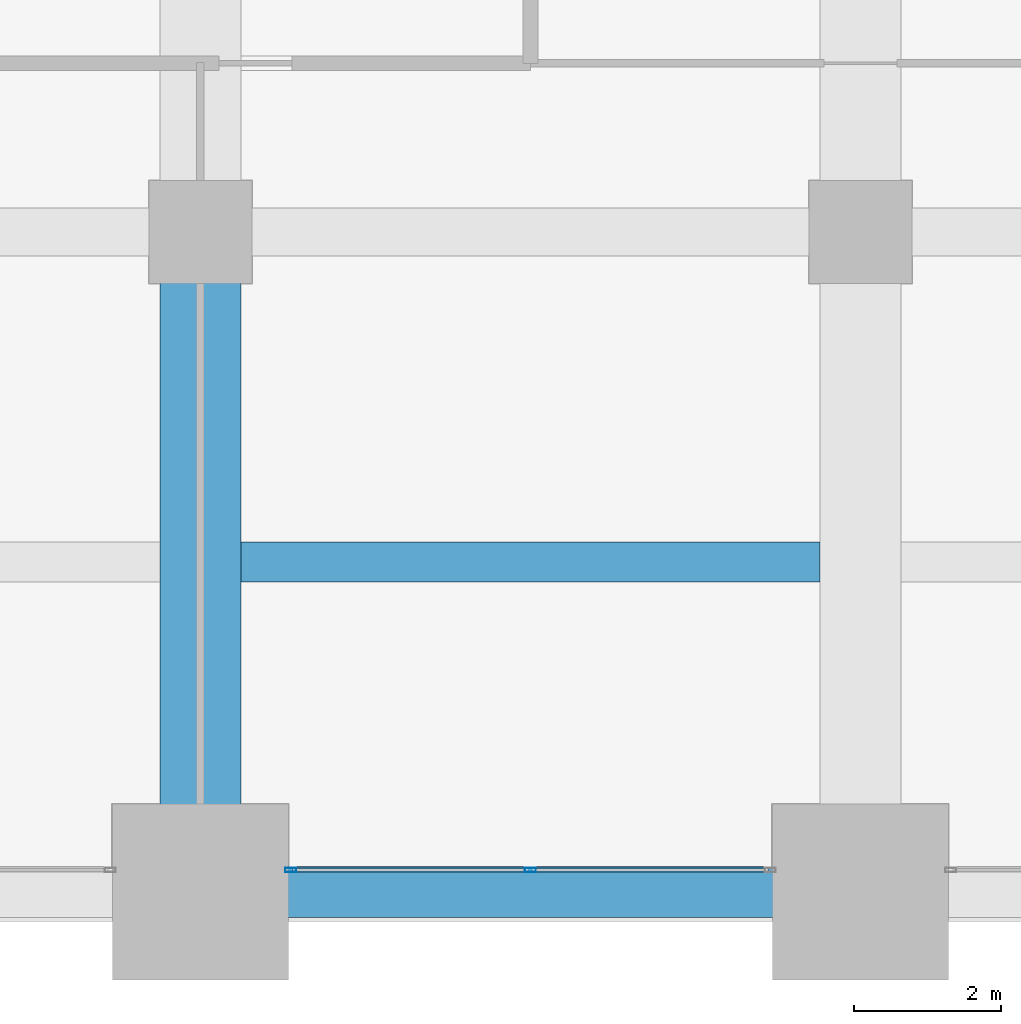
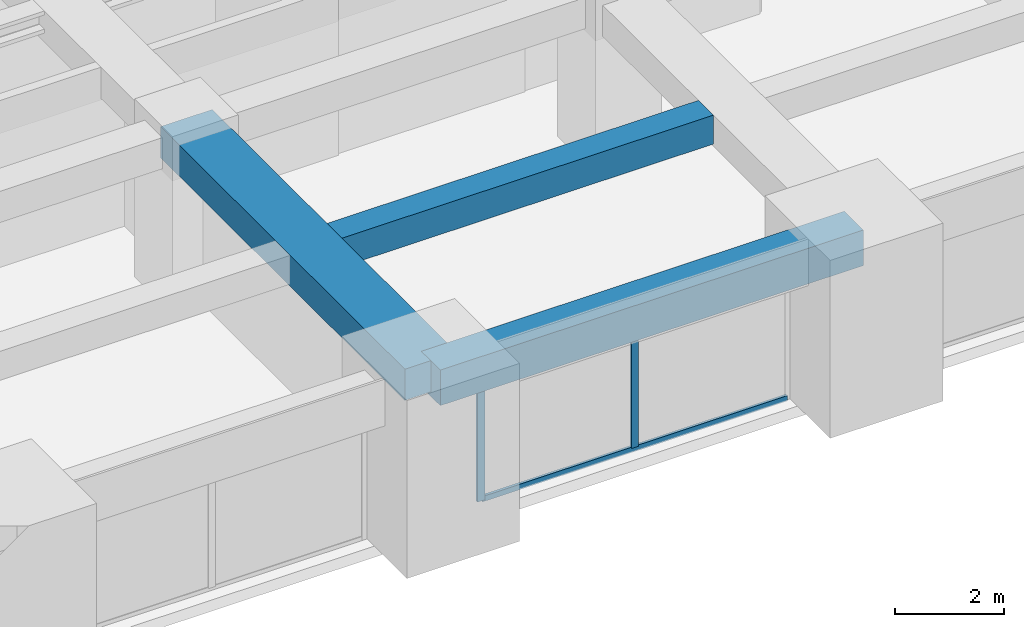
# One storey, part 7 of 32: 3 beams, 3 members, 1 element without a shape of its own.
"""IFC4 building model written with IfcOpenShell, lengths in metres."""

from ifc_helpers import new_model, si_unit, direction, frame, origin, origin_2d, place, context, subcontext, project, spatial, rectangle, hollow_rectangle, extrude, material, material_profile, profile_set, type_object, element, aggregate, save


model = new_model("IFC4")

# Units and contexts
model_context = context("Model", 3, precision=1e-05, world=origin(), true_north=direction((0.0, 1.0)))
body_context = subcontext(model_context, "Body", "Model", "MODEL_VIEW")
ifc_project = project(units=[si_unit("LENGTHUNIT", "METRE"), si_unit("AREAUNIT", "SQUARE_METRE"), si_unit("VOLUMEUNIT", "CUBIC_METRE"), si_unit("PLANEANGLEUNIT", "RADIAN"), si_unit("MASSUNIT", "GRAM", prefix="KILO")], contexts=[model_context])

# Site, building, storey
site_placement = place(None, origin())
site = spatial("IfcSite", under=ifc_project, at=site_placement, CompositionType="ELEMENT")
building_placement = place(site_placement, origin())
building = spatial("IfcBuilding", under=site, at=building_placement, Name="Zorevar Civic Tower", CompositionType="ELEMENT")
storey_placement = place(building_placement, frame((0.0, 0.0, 198.199951171875)))
storey = spatial("IfcBuildingStorey", under=building, at=storey_placement, Name="L48", CompositionType="ELEMENT", Elevation=198.199951171875)

# Beams
ifc_material_1 = material(Name="Concrete C50/60", Category="concrete")
ifc_material_profile_1 = material_profile(ifc_material_1, rectangle(XDim=1.10009765625, YDim=0.699951171875, at=origin_2d()), Name="RC 1100x700")
ifc_profile_set_1 = profile_set([ifc_material_profile_1], Name="Concrete C50/60")
beam_type_1 = type_object("IfcBeamType", Name="Beam RC 1100x700", PredefinedType="BEAM", material=ifc_profile_set_1)
beam_1_placement = place(storey_placement, frame((27.0, 0.0, 3.400146484375), z_axis=(0.0, 1.0, 0.0), x_axis=(-1.0, 0.0, 0.0)))
element("IfcBeam", 1, at=beam_1_placement, inside=storey, type_object=beam_type_1, Name="Girder L49", PredefinedType="BEAM", context=body_context, shape_type="SweptSolid", body=[
    extrude(rectangle(XDim=1.10009765625, YDim=0.699951171875, at=origin_2d()), origin(), (0.0, 0.0, 1.0), 9.0),
])
ifc_material_2 = material(Name="Concrete C50/60", Category="concrete")
ifc_material_profile_2 = material_profile(ifc_material_2, rectangle(XDim=0.550048828125, YDim=0.64990234375, at=origin_2d()), Name="RC 550x650")
ifc_profile_set_2 = profile_set([ifc_material_profile_2], Name="Concrete C50/60")
beam_type_2 = type_object("IfcBeamType", Name="Beam RC 550x650", PredefinedType="BEAM", material=ifc_profile_set_2)
beam_2_placement = place(storey_placement, frame((27.550048828125, 4.5, 3.425048828125), z_axis=(1.0, 0.0, 0.0), x_axis=(0.0, 1.0, 0.0)))
element("IfcBeam", 2, at=beam_2_placement, inside=storey, type_object=beam_type_2, Name="Secondary beam L49", PredefinedType="BEAM", context=body_context, shape_type="SweptSolid", body=[
    extrude(rectangle(XDim=0.550048828125, YDim=0.64990234375, at=origin_2d()), origin(), (0.0, 0.0, 1.0), 7.89990234375),
])

# Curtain wall, members
ifc_material_3 = material(Name="Dark grey solar-control glass in black aluminium frame", Category="aluminium")
curtain_wall_type = type_object("IfcCurtainWallType", Name="Curtain wall CW4 high zone", PredefinedType="NOTDEFINED", material=ifc_material_3)
curtain_wall_placement = place(storey_placement, origin())
curtain_wall = element("IfcCurtainWall", 3, at=curtain_wall_placement, inside=storey, type_object=curtain_wall_type, Name="CW4 L48", PredefinedType="NOTDEFINED")
ifc_material_4 = material(Name="Aluminium, black anodised", Category="aluminium")
ifc_material_profile_3 = material_profile(ifc_material_4, hollow_rectangle(XDim=0.06005859375, YDim=0.14990234375, WallThickness=0.00390625, at=origin_2d()), Name="AL 150x60x4")
ifc_profile_set_3 = profile_set([ifc_material_profile_3], Name="Aluminium, black anodised")
member_type_1 = type_object("IfcMemberType", Name="CW4 mullion AL 150x60x4", PredefinedType="MULLION", material=ifc_profile_set_3)
member_1_placement = place(storey_placement, frame((28.22998046875, 0.300048828125, 0.0), z_axis=(0.0, 0.0, 1.0), x_axis=(0.0, 1.0, 0.0)))
member_1 = element("IfcMember", 4, at=member_1_placement, type_object=member_type_1, Name="CW4 mullion 1", PredefinedType="MULLION", context=body_context, shape_type="SweptSolid", body=[
    extrude(hollow_rectangle(XDim=0.06005859375, YDim=0.14990234375, WallThickness=0.00390625, at=origin_2d()), origin(), (0.0, 0.0, 1.0), 2.949951171875),
])
member_2_placement = place(storey_placement, frame((31.5, 0.300048828125, 0.06005859375), z_axis=(0.0, 0.0, 1.0), x_axis=(0.0, 1.0, 0.0)))
member_2 = element("IfcMember", 5, at=member_2_placement, type_object=member_type_1, Name="CW4 mullion 2", PredefinedType="MULLION", context=body_context, shape_type="SweptSolid", body=[
    extrude(hollow_rectangle(XDim=0.06005859375, YDim=0.14990234375, WallThickness=0.00390625, at=origin_2d()), origin(), (0.0, 0.0, 1.0), 2.889892578125),
])
ifc_material_5 = material(Name="Aluminium, black anodised", Category="aluminium")
ifc_material_profile_4 = material_profile(ifc_material_5, hollow_rectangle(XDim=0.06005859375, YDim=0.1201171875, WallThickness=0.0029296875, at=origin_2d()), Name="AL 120x60x3")
ifc_profile_set_4 = profile_set([ifc_material_profile_4], Name="Aluminium, black anodised")
member_type_2 = type_object("IfcMemberType", Name="CW4 transom AL 120x60x3", PredefinedType="USERDEFINED", material=ifc_profile_set_4)
member_3_placement = place(storey_placement, frame((28.260009765625, 0.300048828125, 0.030029296875), z_axis=(1.0, 0.0, 0.0), x_axis=(0.0, 1.0, 0.0)))
member_3 = element("IfcMember", 6, at=member_3_placement, type_object=member_type_2, Name="CW4 sill transom", ObjectType="TRANSOM", PredefinedType="USERDEFINED", context=body_context, shape_type="SweptSolid", body=[
    extrude(hollow_rectangle(XDim=0.06005859375, YDim=0.1201171875, WallThickness=0.0029296875, at=origin_2d()), origin(), (0.0, 0.0, 1.0), 6.47998046875),
])
aggregate(curtain_wall, [member_1, member_2, member_3])

# Beam
ifc_material_6 = material(Name="Concrete C50/60", Category="concrete")
ifc_material_profile_5 = material_profile(ifc_material_6, rectangle(XDim=0.699951171875, YDim=0.800048828125, at=origin_2d()), Name="RC 700x800")
ifc_profile_set_5 = profile_set([ifc_material_profile_5], Name="Concrete C50/60")
beam_type_3 = type_object("IfcBeamType", Name="Edge beam RC 700x800", PredefinedType="SPANDREL", material=ifc_profile_set_5)
beam_3_placement = place(storey_placement, frame((27.0, 0.0, 3.35009765625), z_axis=(1.0, 0.0, 0.0), x_axis=(0.0, 1.0, 0.0)))
element("IfcBeam", 7, at=beam_3_placement, inside=storey, type_object=beam_type_3, Name="Edge beam L49", PredefinedType="SPANDREL", context=body_context, shape_type="SweptSolid", body=[
    extrude(rectangle(XDim=0.699951171875, YDim=0.800048828125, at=origin_2d()), origin(), (0.0, 0.0, 1.0), 9.0),
])

save(model, "model.ifc")
